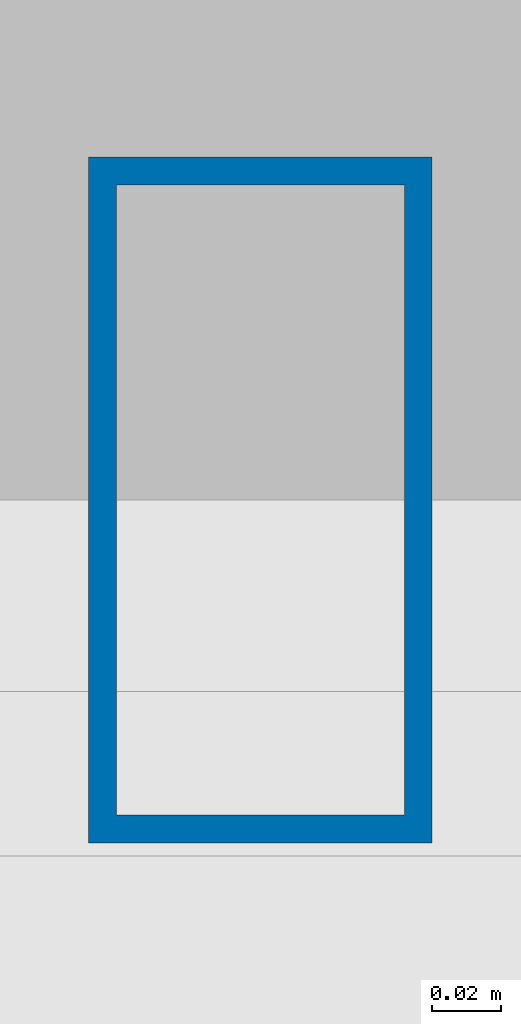
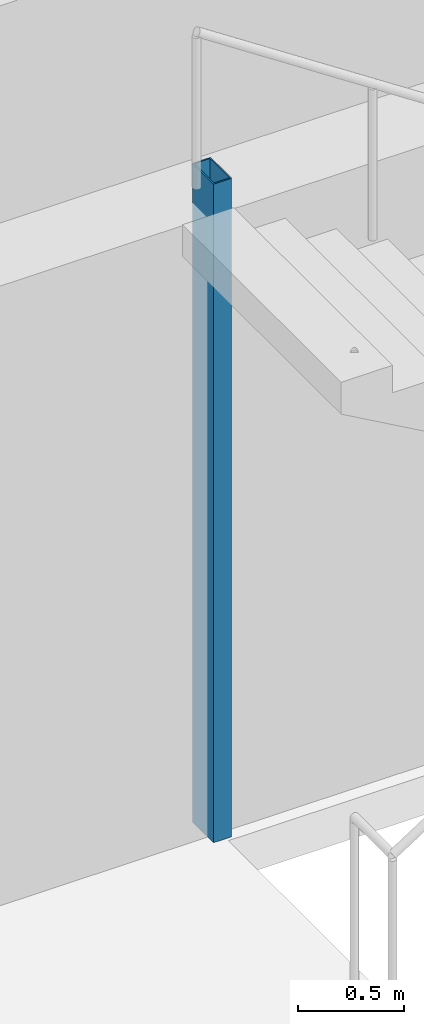
# One storey, part 2 of 17: 1 column.
"""IFC4 building model written with IfcOpenShell, lengths in metres."""

from ifc_helpers import new_model, si_unit, direction, frame, origin, origin_2d, place, context, subcontext, project, spatial, hollow_rectangle, extrude, material, material_profile, profile_set, type_object, element, save


model = new_model("IFC4")

# Units and contexts
model_context = context("Model", 3, precision=1e-05, world=origin(), true_north=direction((0.0, 1.0)))
body_context = subcontext(model_context, "Body", "Model", "MODEL_VIEW")
ifc_project = project(units=[si_unit("LENGTHUNIT", "METRE"), si_unit("AREAUNIT", "SQUARE_METRE"), si_unit("VOLUMEUNIT", "CUBIC_METRE"), si_unit("PLANEANGLEUNIT", "RADIAN"), si_unit("MASSUNIT", "GRAM", prefix="KILO")], contexts=[model_context])

# Site, building, storey
site_placement = place(None, origin())
site = spatial("IfcSite", under=ifc_project, at=site_placement, CompositionType="ELEMENT")
building_placement = place(site_placement, origin())
building = spatial("IfcBuilding", under=site, at=building_placement, Name="Menara Jurai Vektor", CompositionType="ELEMENT")
storey_placement = place(building_placement, frame((0.0, 0.0, 44.60009765625)))
storey = spatial("IfcBuildingStorey", under=building, at=storey_placement, Name="L10", CompositionType="ELEMENT", Elevation=44.60009765625)

# Column
ifc_material = material(Name="Steel S355", Category="steel")
ifc_material_profile = material_profile(ifc_material, hollow_rectangle(XDim=0.10009765625, YDim=0.199951171875, WallThickness=0.008056640625, at=origin_2d()), Name="RHS 200x100x8")
ifc_profile_set = profile_set([ifc_material_profile], Name="Steel S355")
column_type = type_object("IfcColumnType", Name="STR-COL-STAIR", PredefinedType="COLUMN", material=ifc_profile_set)
column_placement = place(storey_placement, frame((-11.1201171875, 5.419921875, 0.0), z_axis=(0.0, 0.0, 1.0), x_axis=(1.0, 0.0, 0.0)))
element("IfcColumn", 1, at=column_placement, inside=storey, type_object=column_type, Name="Stair Well Header Column ST1-P2 L10", PredefinedType="COLUMN", context=body_context, shape_type="SweptSolid", body=[
    extrude(hollow_rectangle(XDim=0.10009765625, YDim=0.199951171875, WallThickness=0.008056640625, at=origin_2d()), origin(), (0.0, 0.0, 1.0), 3.7998046875),
])

save(model, "model.ifc")
